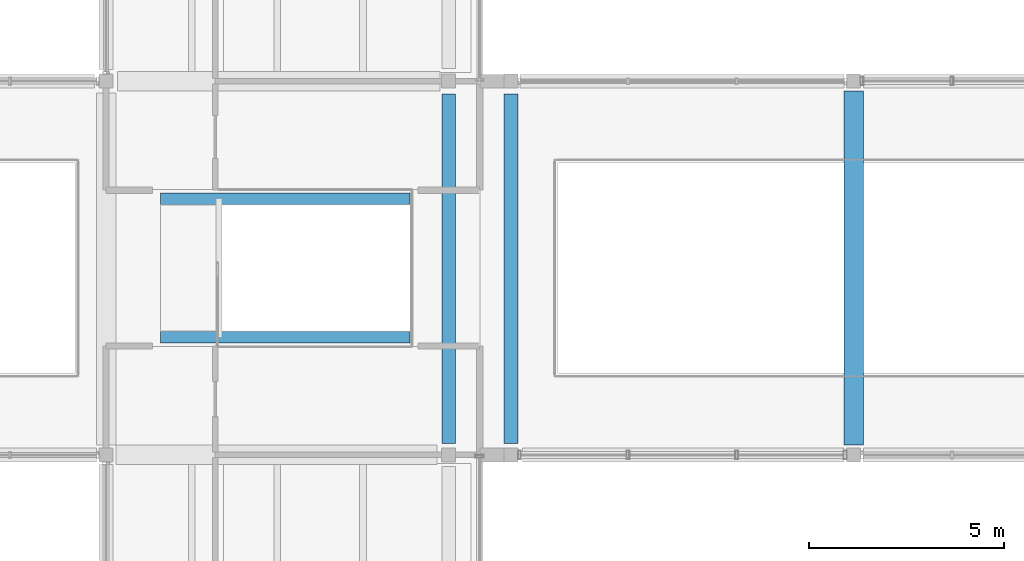
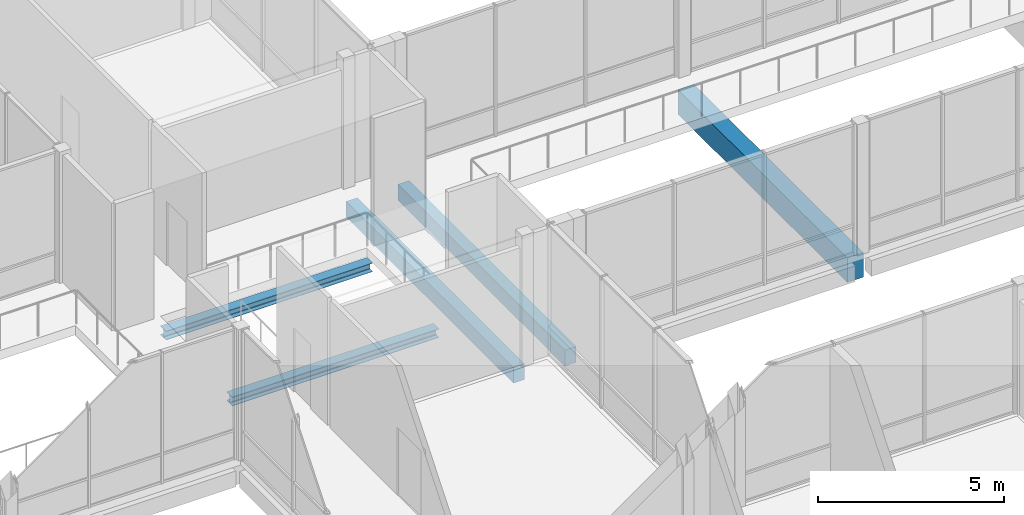
# One storey, part 65 of 146: 5 beams.
"""IFC4 building model written with IfcOpenShell, lengths in metres."""

from ifc_helpers import new_model, si_unit, direction, frame, origin, origin_2d, place, context, subcontext, project, spatial, rectangle, i_section, extrude, material, material_profile, profile_set, type_object, element, save


model = new_model("IFC4")

# Units and contexts
model_context = context("Model", 3, precision=1e-05, world=origin(), true_north=direction((0.0, 1.0)))
body_context = subcontext(model_context, "Body", "Model", "MODEL_VIEW")
ifc_project = project(units=[si_unit("LENGTHUNIT", "METRE"), si_unit("AREAUNIT", "SQUARE_METRE"), si_unit("VOLUMEUNIT", "CUBIC_METRE"), si_unit("PLANEANGLEUNIT", "RADIAN"), si_unit("MASSUNIT", "GRAM", prefix="KILO")], contexts=[model_context])

# Site, building, storey
site_placement = place(None, origin())
site = spatial("IfcSite", under=ifc_project, at=site_placement, CompositionType="ELEMENT")
building_placement = place(site_placement, origin())
building = spatial("IfcBuilding", under=site, at=building_placement, Name="Hawrajan Terrace Health Centre", CompositionType="ELEMENT")
storey_placement = place(building_placement, frame((0.0, 0.0, 4.5)))
storey = spatial("IfcBuildingStorey", under=building, at=storey_placement, Name="L01", CompositionType="ELEMENT", Elevation=4.5)

# Beams
ifc_material_1 = material(Name="Concrete C40/50", Category="concrete")
ifc_material_profile_1 = material_profile(ifc_material_1, rectangle(XDim=0.5, YDim=0.800048828125, at=origin_2d()), Name="RC BM 500x800")
ifc_profile_set_1 = profile_set([ifc_material_profile_1], Name="Concrete C40/50")
beam_type_1 = type_object("IfcBeamType", Name="RCGirder_500x800", PredefinedType="BEAM", material=ifc_profile_set_1)
beam_placement = place(storey_placement, frame((81.39990234375, 27.449951171875, -0.699951171875), z_axis=(0.0, 1.0, 0.0), x_axis=(-1.0, 0.0, 0.0)))
element("IfcBeam", 1, at=beam_placement, inside=storey, type_object=beam_type_1, Name="Beam BM-Y-L01-C-X11-4", PredefinedType="BEAM", context=body_context, shape_type="SweptSolid", body=[
    extrude(rectangle(XDim=0.5, YDim=0.800048828125, at=origin_2d()), origin(), (0.0, 0.0, 1.0), 9.10009765625),
])
ifc_material_profile_2 = material_profile(ifc_material_1, rectangle(XDim=0.35009765625, YDim=0.52001953125, at=origin_2d()), Name="RC SP 350x520")
ifc_profile_set_2 = profile_set([ifc_material_profile_2], Name="Concrete C40/50")
beam_type_2 = type_object("IfcBeamType", Name="RCSpandrel_350x520", PredefinedType="SPANDREL", material=ifc_profile_set_2)
for number, where, z_axis, x_axis, name in (
    (2, (71.0, 27.5, -0.56005859375), (0.0, 1.0, 0.0), (-1.0, 0.0, 0.0), "Beam BM-Y-L01-W-X10-4"),
    (3, (72.60009765625, 27.5, -0.56005859375), (0.0, 1.0, 0.0), (-1.0, 0.0, 0.0), "Beam BM-Y-L01-C-X10-4"),
):
    element("IfcBeam", number, at=place(storey_placement, frame(where, z_axis=z_axis, x_axis=x_axis)), inside=storey, type_object=beam_type_2, Name=name, PredefinedType="SPANDREL", context=body_context, shape_type="SweptSolid", body=[
        extrude(rectangle(XDim=0.35009765625, YDim=0.52001953125, at=origin_2d()), origin(), (0.0, 0.0, 1.0), 8.97509765625),
    ])
ifc_material_2 = material(Name="Steel S355", Category="steel")
ifc_material_profile_3 = material_profile(ifc_material_2, i_section(OverallWidth=0.300048828125, OverallDepth=0.2900390625, WebThickness=0.008544921875, FlangeThickness=0.013916015625, FilletRadius=0.027099609375, at=origin_2d()), Name="HEA 300")
ifc_profile_set_3 = profile_set([ifc_material_profile_3], Name="Steel S355")
beam_type_3 = type_object("IfcBeamType", Name="SteelBeam_HEA300", PredefinedType="BEAM", material=ifc_profile_set_3)
for number, where, z_axis, x_axis, name in (
    (4, (63.60009765625, 30.219970703125, -0.449951171875), (1.0, 0.0, 0.0), (0.0, 1.0, 0.0), "Feature stair stringer beam 1"),
    (5, (63.60009765625, 33.780029296875, -0.449951171875), (1.0, 0.0, 0.0), (0.0, 1.0, 0.0), "Feature stair stringer beam 2"),
):
    element("IfcBeam", number, at=place(storey_placement, frame(where, z_axis=z_axis, x_axis=x_axis)), inside=storey, type_object=beam_type_3, Name=name, PredefinedType="BEAM", context=body_context, shape_type="SweptSolid", body=[
        extrude(i_section(OverallWidth=0.300048828125, OverallDepth=0.2900390625, WebThickness=0.008544921875, FlangeThickness=0.013916015625, FilletRadius=0.027099609375, at=origin_2d()), origin(), (0.0, 0.0, 1.0), 6.39990234375),
    ])

save(model, "model.ifc")
